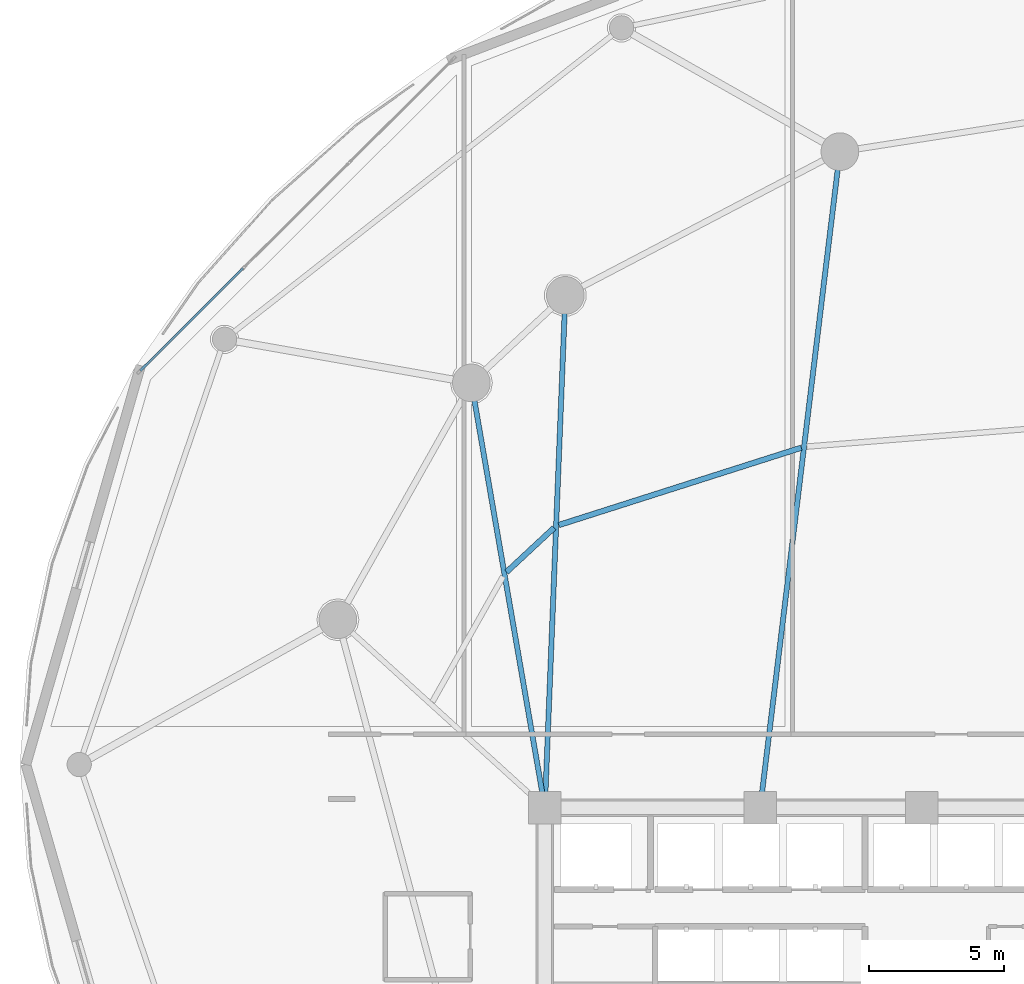
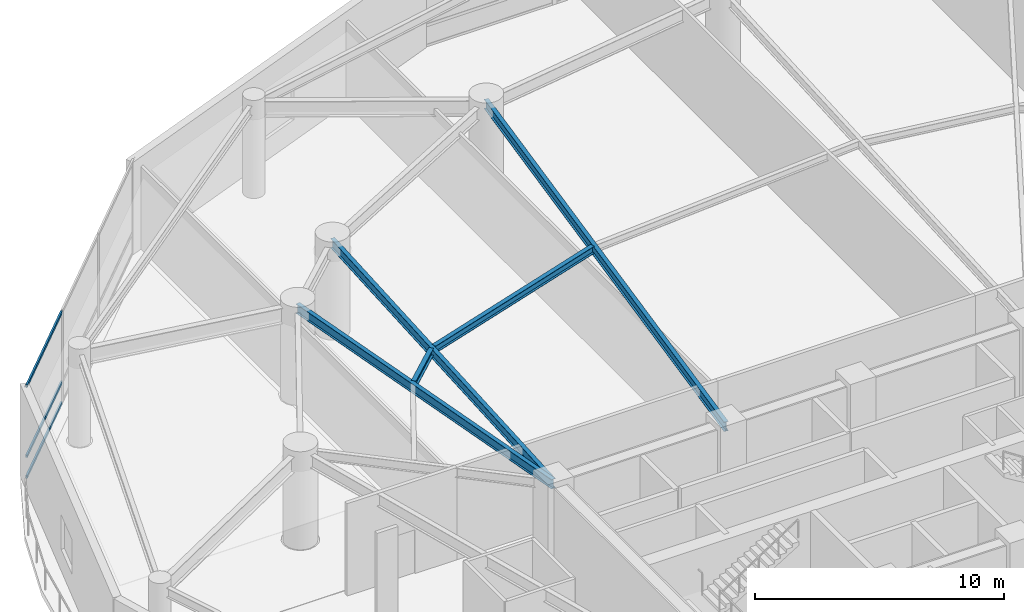
# One storey, part 7 of 40: 5 beams, 3 members, 1 element without a shape of its own.
"""IFC4 building model written with IfcOpenShell, lengths in metres."""

from ifc_helpers import new_model, si_unit, direction, frame, origin, origin_2d, place, context, subcontext, project, spatial, hollow_rectangle, i_section, extrude, material, layer, layer_set, material_profile, profile_set, type_object, element, aggregate, save


model = new_model("IFC4")

# Units and contexts
model_context = context("Model", 3, precision=1e-05, world=origin(), true_north=direction((0.0, 1.0)))
body_context = subcontext(model_context, "Body", "Model", "MODEL_VIEW")
ifc_project = project(units=[si_unit("LENGTHUNIT", "METRE"), si_unit("AREAUNIT", "SQUARE_METRE"), si_unit("VOLUMEUNIT", "CUBIC_METRE"), si_unit("PLANEANGLEUNIT", "RADIAN"), si_unit("MASSUNIT", "GRAM", prefix="KILO")], contexts=[model_context])

# Site, building, storey
site_placement = place(None, origin())
site = spatial("IfcSite", under=ifc_project, at=site_placement, CompositionType="ELEMENT")
building_placement = place(site_placement, origin())
building = spatial("IfcBuilding", under=site, at=building_placement, Name="Kazevale Care Tower and Concert Hall", CompositionType="ELEMENT")
storey_placement = place(building_placement, frame((0.0, 0.0, 4.800048828125)))
storey = spatial("IfcBuildingStorey", under=building, at=storey_placement, Name="L01", CompositionType="ELEMENT", Elevation=4.800048828125)

# Curtain wall, members
ifc_material_1 = material(Name="Aluminium 6063-T6 and Low-E Glass", Category="aluminium")
ifc_layer = layer(ifc_material_1, 0.179931640625)
ifc_layer_set = layer_set([ifc_layer], Name="Aluminium 6063-T6 and Low-E Glass")
curtain_wall_type = type_object("IfcCurtainWallType", Name="Podium Double-Skin Medical Curtain Wall CW-1", PredefinedType="NOTDEFINED", material=ifc_layer_set)
curtain_wall_placement = place(storey_placement, origin())
curtain_wall = element("IfcCurtainWall", 1, at=curtain_wall_placement, inside=storey, type_object=curtain_wall_type, Name="cw:L01:pod:06", PredefinedType="NOTDEFINED")
ifc_material_2 = material(Name="Aluminium 6063-T6", Category="aluminium")
ifc_material_profile_1 = material_profile(ifc_material_2, hollow_rectangle(XDim=0.080078125, YDim=0.139892578125, WallThickness=0.00390625, at=origin_2d()), Name="ALU80x140x4")
ifc_profile_set_1 = profile_set([ifc_material_profile_1], Name="Aluminium 6063-T6")
member_type = type_object("IfcMemberType", Name="CW-1 Transom ALU80x140x4", PredefinedType="USERDEFINED", material=ifc_profile_set_1)
member_1_placement = place(storey_placement, frame((10.785888671875, 56.432861328125, 0.0400390625), z_axis=(-0.708578901075, -0.705631590103, 0.0), x_axis=(0.705631590103, -0.708578901075, 0.0)))
member_1 = element("IfcMember", 2, at=member_1_placement, type_object=member_type, Name="CW-1 transom 3.1", ObjectType="TRANSOM", PredefinedType="USERDEFINED", context=body_context, shape_type="SweptSolid", body=[
    extrude(hollow_rectangle(XDim=0.080078125, YDim=0.139892578125, WallThickness=0.00390625, at=origin_2d()), origin(), (0.0, 0.0, 1.0), 5.38427734375),
])
member_2_placement = place(storey_placement, frame((10.785888671875, 56.432861328125, 1.050048828125), z_axis=(-0.708578901075, -0.705631590103, 0.0), x_axis=(0.705631590103, -0.708578901075, 0.0)))
member_2 = element("IfcMember", 3, at=member_2_placement, type_object=member_type, Name="CW-1 transom 3.2", ObjectType="TRANSOM", PredefinedType="USERDEFINED", context=body_context, shape_type="SweptSolid", body=[
    extrude(hollow_rectangle(XDim=0.080078125, YDim=0.139892578125, WallThickness=0.00390625, at=origin_2d()), origin(), (0.0, 0.0, 1.0), 5.38427734375),
])
member_3_placement = place(storey_placement, frame((10.785888671875, 56.432861328125, 4.47998046875), z_axis=(-0.708578901075, -0.705631590103, 0.0), x_axis=(0.705631590103, -0.708578901075, 0.0)))
member_3 = element("IfcMember", 4, at=member_3_placement, type_object=member_type, Name="CW-1 transom 3.3", ObjectType="TRANSOM", PredefinedType="USERDEFINED", context=body_context, shape_type="SweptSolid", body=[
    extrude(hollow_rectangle(XDim=0.080078125, YDim=0.139892578125, WallThickness=0.00390625, at=origin_2d()), origin(), (0.0, 0.0, 1.0), 5.38427734375),
])
aggregate(curtain_wall, [member_1, member_2, member_3])

# Beams
ifc_material_3 = material(Name="Steel ASTM A572 Gr 50", Category="steel")
ifc_material_profile_2 = material_profile(ifc_material_3, i_section(OverallWidth=0.19091796875, OverallDepth=0.4599609375, WebThickness=0.010009765625, FlangeThickness=0.01611328125, at=origin_2d()), Name="W460x82")
ifc_profile_set_2 = profile_set([ifc_material_profile_2], Name="Steel ASTM A572 Gr 50")
beam_type_1 = type_object("IfcBeamType", Name="Radial Floor Beam W460x82", PredefinedType="BEAM", material=ifc_profile_set_2)
beam_1_placement = place(storey_placement, frame((30.0, 36.39990234375, 4.2900390625), z_axis=(0.120572526662, 0.9927045209, 0.0), x_axis=(-0.9927045209, 0.120572526662, 0.0)))
element("IfcBeam", 5, at=beam_1_placement, inside=storey, type_object=beam_type_1, Name="beam:L01:rad:06", PredefinedType="BEAM", context=body_context, shape_type="SweptSolid", body=[
    extrude(i_section(OverallWidth=0.19091796875, OverallDepth=0.4599609375, WebThickness=0.010009765625, FlangeThickness=0.01611328125, at=origin_2d()), origin(), (0.0, 0.0, 1.0), 24.54931640625),
])
beam_2_placement = place(storey_placement, frame((22.0, 36.39990234375, 4.2900390625), z_axis=(0.039905581428, 0.999203455044, 0.0), x_axis=(-0.999203455044, 0.039905581428, 0.0)))
element("IfcBeam", 6, at=beam_2_placement, inside=storey, type_object=beam_type_1, Name="beam:L01:rad:07", PredefinedType="BEAM", context=body_context, shape_type="SweptSolid", body=[
    extrude(i_section(OverallWidth=0.19091796875, OverallDepth=0.4599609375, WebThickness=0.010009765625, FlangeThickness=0.01611328125, at=origin_2d()), origin(), (0.0, 0.0, 1.0), 19.045166015625),
])
beam_3_placement = place(storey_placement, frame((22.0, 36.39990234375, 4.2900390625), z_axis=(-0.170469986865, 0.985362868987, 0.0), x_axis=(-0.985362868987, -0.170469986865, 0.0)))
element("IfcBeam", 7, at=beam_3_placement, inside=storey, type_object=beam_type_1, Name="beam:L01:rad:08", PredefinedType="BEAM", context=body_context, shape_type="SweptSolid", body=[
    extrude(i_section(OverallWidth=0.19091796875, OverallDepth=0.4599609375, WebThickness=0.010009765625, FlangeThickness=0.01611328125, at=origin_2d()), origin(), (0.0, 0.0, 1.0), 16.014404296875),
])
ifc_material_profile_3 = material_profile(ifc_material_3, i_section(OverallWidth=0.205078125, OverallDepth=0.35400390625, WebThickness=0.009521484375, FlangeThickness=0.016845703125, at=origin_2d()), Name="W360x79")
ifc_profile_set_3 = profile_set([ifc_material_profile_3], Name="Steel ASTM A572 Gr 50")
beam_type_2 = type_object("IfcBeamType", Name="Secondary Floor Joist W360x79", PredefinedType="JOIST", material=ifc_profile_set_3)
beam_4_placement = place(storey_placement, frame((31.528076171875, 49.77197265625, 4.343017578125), z_axis=(-0.9527054955, -0.303895111584, 0.0), x_axis=(0.303895111584, -0.9527054955, 0.0)))
element("IfcBeam", 8, at=beam_4_placement, inside=storey, type_object=beam_type_2, Name="beam:L01:joist:06", PredefinedType="JOIST", context=body_context, shape_type="SweptSolid", body=[
    extrude(i_section(OverallWidth=0.205078125, OverallDepth=0.35400390625, WebThickness=0.009521484375, FlangeThickness=0.016845703125, at=origin_2d()), origin(), (0.0, 0.0, 1.0), 9.457275390625),
])
beam_5_placement = place(storey_placement, frame((22.341064453125, 46.794921875, 4.343017578125), z_axis=(-0.73194965424, -0.68135871878, 0.0), x_axis=(0.68135871878, -0.73194965424, 0.0)))
element("IfcBeam", 9, at=beam_5_placement, inside=storey, type_object=beam_type_2, Name="beam:L01:joist:07", PredefinedType="JOIST", context=body_context, shape_type="SweptSolid", body=[
    extrude(i_section(OverallWidth=0.205078125, OverallDepth=0.35400390625, WebThickness=0.009521484375, FlangeThickness=0.016845703125, at=origin_2d()), origin(), (0.0, 0.0, 1.0), 2.412841796875),
])

save(model, "model.ifc")
